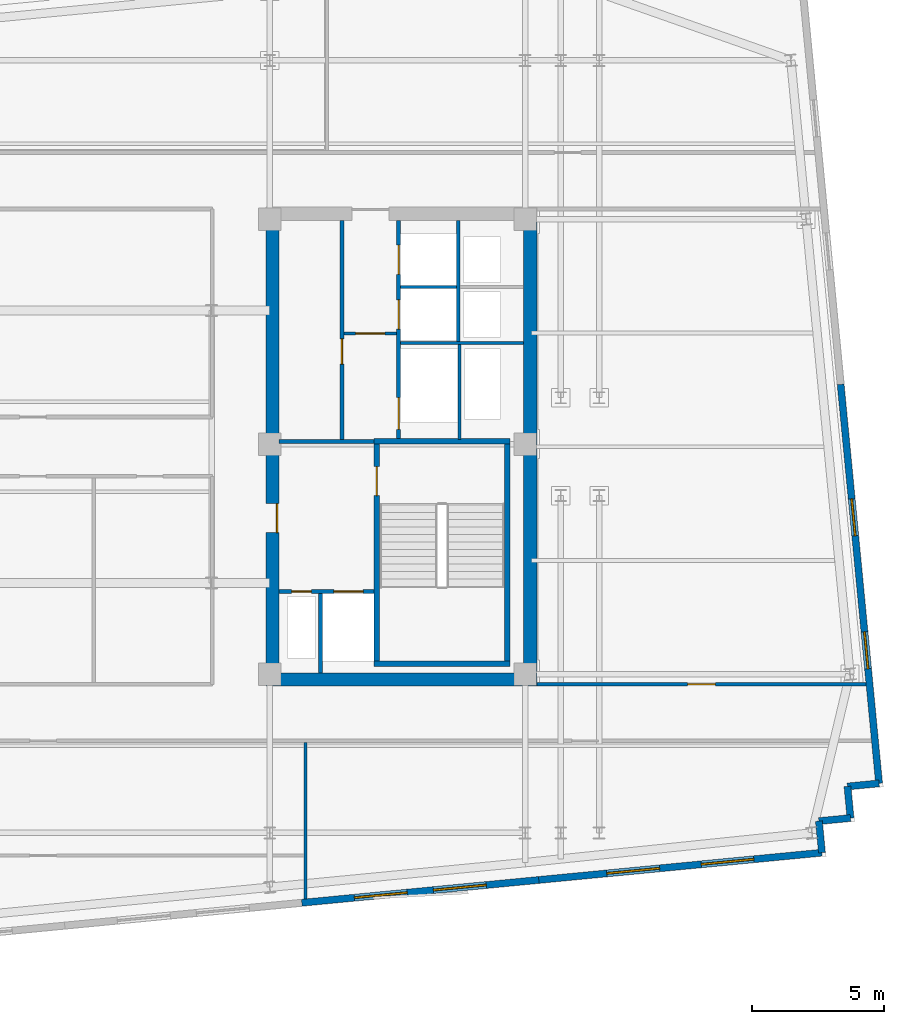
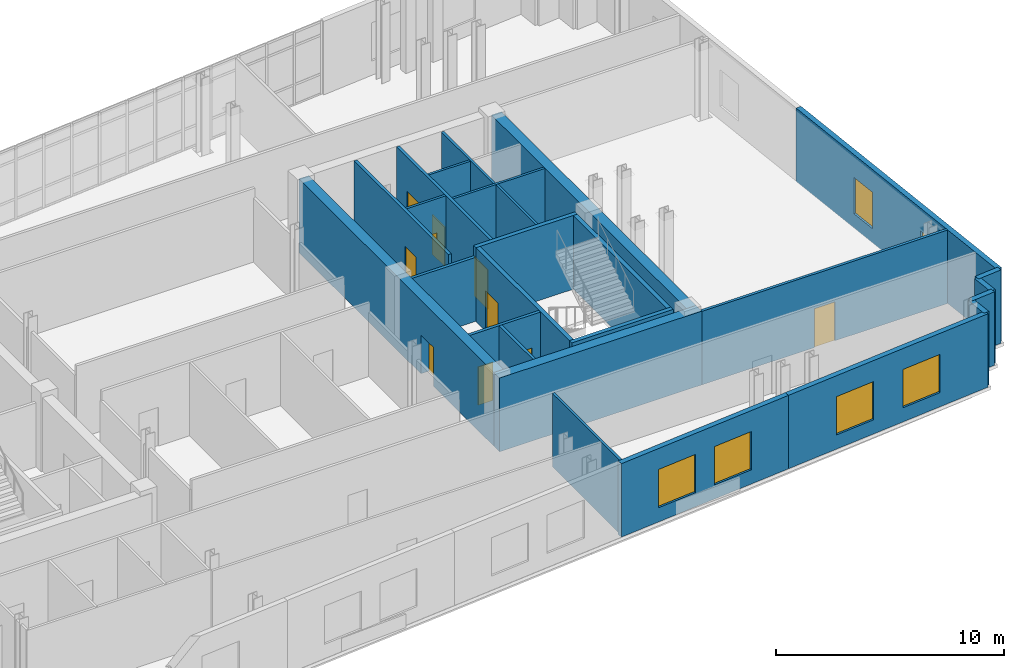
# One storey, part 8 of 11: 26 walls, 10 doors, 6 windows, 16 openings.
"""IFC4 building model written with IfcOpenShell, lengths in metres."""

from ifc_helpers import new_model, si_unit, direction, frame, frame_2d, origin, place, context, subcontext, project, spatial, rectangle, extrude, material, layer, layer_set, type_object, element, fill, save


model = new_model("IFC4")

# Units and contexts
model_context = context("Model", 3, precision=1e-05, world=origin(), true_north=direction((0.0, 1.0)))
body_context = subcontext(model_context, "Body", "Model", "MODEL_VIEW")
ifc_project = project(units=[si_unit("LENGTHUNIT", "METRE"), si_unit("AREAUNIT", "SQUARE_METRE"), si_unit("VOLUMEUNIT", "CUBIC_METRE"), si_unit("PLANEANGLEUNIT", "RADIAN"), si_unit("MASSUNIT", "GRAM", prefix="KILO")], contexts=[model_context])

# Site, building, storey
site_placement = place(None, origin())
site = spatial("IfcSite", under=ifc_project, at=site_placement, CompositionType="ELEMENT")
building_placement = place(site_placement, origin())
building = spatial("IfcBuilding", under=site, at=building_placement, Name="Velakula Bourse", CompositionType="ELEMENT")
storey_placement = place(building_placement, frame((0.0, 0.0, 282.75)))
storey = spatial("IfcBuildingStorey", under=building, at=storey_placement, Name="L77", CompositionType="ELEMENT", Elevation=282.75)

# Wall, opening, door
ifc_material_1 = material(Name="Concrete M50 (fck 50 MPa)", Category="concrete")
ifc_layer_1 = layer(ifc_material_1, 0.2099609375, Name="Concrete M50 (fck 50 MPa)", Category="concrete")
ifc_layer_set_1 = layer_set([ifc_layer_1], Name="Concrete M50 (fck 50 MPa)")
wall_type_1 = type_object("IfcWallType", Name="WL-CORE-210", PredefinedType="SHEAR", material=ifc_layer_set_1)
wall_1_placement = place(storey_placement, frame((12.9951171875, -8.10009765625, 0.0), z_axis=(0.0, 0.0, 1.0), x_axis=(0.0, 1.0, 0.0)))
wall_1 = element("IfcWall", 1, at=wall_1_placement, inside=storey, type_object=wall_type_1, Name="L77 Core E Stairwell Shear Wall IN", PredefinedType="SHEAR", context=body_context, shape_type="SweptSolid", body=[
    extrude(rectangle(XDim=8.2001953125, YDim=0.2099609375, at=frame_2d((4.10009765625, 0.0))), origin(), (0.0, 0.0, 1.0), 3.949951171875),
])
opening_1_placement = place(wall_1_placement, frame((6.25, 0.0, 0.0)))
opening_1 = element("IfcOpeningElement", 2, at=opening_1_placement, cuts=wall_1, Name="Opening D-STE1", PredefinedType="OPENING", context=body_context, shape_type="SweptSolid", body=[
    extrude(rectangle(XDim=1.10009765625, YDim=2.14990234375, at=frame_2d((0.550048828125, 1.074951171875))), frame((0.0, 0.114990234375, 0.0), z_axis=(0.0, -1.0, 0.0), x_axis=(1.0, 0.0, 0.0)), (0.0, 0.0, 1.0), 0.22998046875),
])
ifc_material_2 = material(Name="Galvanised painted hollow steel fire door", Category="steel")
door_type_1 = type_object("IfcDoorType", Name="DR-FD120-1100x2150", OperationType="NOTDEFINED", PredefinedType="DOOR", material=ifc_material_2)
door_1_placement = place(opening_1_placement, origin())
door_1 = element("IfcDoor", 3, at=door_1_placement, inside=storey, type_object=door_type_1, Name="L77 Stair ST-E1 Fire Door", OperationType="SINGLE_SWING_RIGHT", OverallHeight=2.14990234375, OverallWidth=1.10009765625, PredefinedType="DOOR", context=body_context, shape_type="SweptSolid", body=[
    extrude(rectangle(XDim=1.10009765625, YDim=2.14990234375, at=frame_2d((0.550048828125, 1.074951171875))), frame((0.0, 0.02490234375, 0.0), z_axis=(0.0, -1.0, 0.0), x_axis=(1.0, 0.0, 0.0)), (0.0, 0.0, 1.0), 0.050048828125),
])
fill(opening_1, door_1)

# Walls
wall_2_placement = place(storey_placement, frame((17.925048828125, -8.10009765625, 0.0), z_axis=(0.0, 0.0, 1.0), x_axis=(0.0, 1.0, 0.0)))
element("IfcWall", 4, at=wall_2_placement, inside=storey, type_object=wall_type_1, Name="L77 Core E Stairwell Shear Wall OUT", PredefinedType="SHEAR", context=body_context, shape_type="SweptSolid", body=[
    extrude(rectangle(XDim=8.2001953125, YDim=0.2099609375, at=frame_2d((4.10009765625, 0.0))), origin(), (0.0, 0.0, 1.0), 3.949951171875),
])
for number, where, z_axis, x_axis, name in (
    (5, (12.889892578125, -8.205078125, 0.0), (0.0, 0.0, 1.0), (1.0, 0.0, 0.0), "L77 Core E Stairwell Shear Wall S"),
    (6, (18.030029296875, 0.205078125, 0.0), (0.0, 0.0, 1.0), (-1.0, 0.0, 0.0), "L77 Core E Stairwell Shear Wall N"),
):
    element("IfcWall", number, at=place(storey_placement, frame(where, z_axis=z_axis, x_axis=x_axis)), inside=storey, type_object=wall_type_1, Name=name, PredefinedType="SHEAR", context=body_context, shape_type="SweptSolid", body=[
        extrude(rectangle(XDim=5.14013671875, YDim=0.2099609375, at=frame_2d((2.570068359375, 0.0))), origin(), (0.0, 0.0, 1.0), 3.949951171875),
    ])
ifc_layer_2 = layer(ifc_material_1, 0.5, Name="Concrete M50 (fck 50 MPa)", Category="concrete")
ifc_layer_set_2 = layer_set([ifc_layer_2], Name="Concrete M50 (fck 50 MPa)")
wall_type_2 = type_object("IfcWallType", Name="WL-CORE-500", PredefinedType="SHEAR", material=ifc_layer_set_2)
wall_3_placement = place(storey_placement, frame((8.800048828125, -8.800048828125, 0.0), z_axis=(0.0, 0.0, 1.0), x_axis=(1.0, 0.0, 0.0)))
element("IfcWall", 7, at=wall_3_placement, inside=storey, type_object=wall_type_2, Name="L77 Core E Shear Wall S", PredefinedType="SHEAR", context=body_context, shape_type="SweptSolid", body=[
    extrude(rectangle(XDim=10.25, YDim=0.5, at=frame_2d((5.125, 0.0))), origin(), (0.0, 0.0, 1.0), 3.949951171875),
])

# Wall, opening, door
wall_4_placement = place(storey_placement, frame((9.050048828125, -8.550048828125, 0.0), z_axis=(0.0, 0.0, 1.0), x_axis=(0.0, 1.0, 0.0)))
wall_4 = element("IfcWall", 8, at=wall_4_placement, inside=storey, type_object=wall_type_2, Name="L77 Core E Shear Wall W", PredefinedType="SHEAR", context=body_context, shape_type="SweptSolid", body=[
    extrude(rectangle(XDim=17.10009765625, YDim=0.5, at=frame_2d((8.550048828125, 0.0))), origin(), (0.0, 0.0, 1.0), 3.949951171875),
])
opening_2_placement = place(wall_4_placement, frame((5.300048828125, 0.0, 0.0)))
opening_2 = element("IfcOpeningElement", 9, at=opening_2_placement, cuts=wall_4, Name="Opening D-FLE", PredefinedType="OPENING", context=body_context, shape_type="SweptSolid", body=[
    extrude(rectangle(XDim=1.10009765625, YDim=2.080078125, at=frame_2d((0.550048828125, 1.0400390625))), frame((0.0, 0.260009765625, 0.0), z_axis=(0.0, -1.0, 0.0), x_axis=(1.0, 0.0, 0.0)), (0.0, 0.0, 1.0), 0.52001953125),
])
door_type_2 = type_object("IfcDoorType", Name="DR-FD120-1100", OperationType="NOTDEFINED", PredefinedType="DOOR", material=ifc_material_2)
door_2_placement = place(opening_2_placement, origin())
door_2 = element("IfcDoor", 10, at=door_2_placement, inside=storey, type_object=door_type_2, Name="L77 Firefighting Lobby E Corridor Fire Door", OperationType="SINGLE_SWING_RIGHT", OverallHeight=2.080078125, OverallWidth=1.10009765625, PredefinedType="DOOR", context=body_context, shape_type="SweptSolid", body=[
    extrude(rectangle(XDim=1.10009765625, YDim=2.080078125, at=frame_2d((0.550048828125, 1.0400390625))), frame((0.0, -0.15478515625, 0.0), z_axis=(0.0, -1.0, 0.0), x_axis=(1.0, 0.0, 0.0)), (0.0, 0.0, 1.0), 0.050048828125),
])
fill(opening_2, door_2)

# Wall
wall_5_placement = place(storey_placement, frame((18.800048828125, -8.550048828125, 0.0), z_axis=(0.0, 0.0, 1.0), x_axis=(0.0, 1.0, 0.0)))
element("IfcWall", 11, at=wall_5_placement, inside=storey, type_object=wall_type_2, Name="L77 Core E Shear Wall E", PredefinedType="SHEAR", context=body_context, shape_type="SweptSolid", body=[
    extrude(rectangle(XDim=17.10009765625, YDim=0.5, at=frame_2d((8.550048828125, 0.0))), origin(), (0.0, 0.0, 1.0), 3.949951171875),
])

# Wall, openings, windows
ifc_material_3 = material(Name="Buff kilned clay facing brick masonry", Category="masonry")
ifc_layer_3 = layer(ifc_material_3, 0.260009765625, Name="Buff kilned clay facing brick masonry", Category="masonry")
ifc_layer_set_3 = layer_set([ifc_layer_3], Name="Buff kilned clay facing brick masonry")
wall_type_3 = type_object("IfcWallType", Name="WL-EXT-BRK-260", PredefinedType="STANDARD", material=ifc_layer_set_3)
wall_6_placement = place(storey_placement, frame((19.119873046875, -16.375244140625, 0.0), z_axis=(0.0, 0.0, 1.0), x_axis=(-0.995396794462, -0.09583956164, 0.0)))
wall_6 = element("IfcWall", 12, at=wall_6_placement, inside=storey, type_object=wall_type_3, Name="L77 S Brick Spandrel Wall B4", PredefinedType="STANDARD", context=body_context, shape_type="SweptSolid", body=[
    extrude(rectangle(XDim=9.0, YDim=0.260009765625, at=frame_2d((4.5, 0.0))), origin(), (0.0, 0.0, 1.0), 3.929931640625),
])
opening_3_placement = place(wall_6_placement, frame((2.0, 0.0, 0.760009765625)))
opening_3 = element("IfcOpeningElement", 13, at=opening_3_placement, cuts=wall_6, Name="Opening W-05", PredefinedType="OPENING", context=body_context, shape_type="SweptSolid", body=[
    extrude(rectangle(XDim=2.0, YDim=2.050048828125, at=frame_2d((1.0, 1.02490234375))), frame((0.0, 0.139892578125, 0.0), z_axis=(0.0, -1.0, 0.0), x_axis=(1.0, 0.0, 0.0)), (0.0, 0.0, 1.0), 0.280029296875),
])
opening_4_placement = place(wall_6_placement, frame((5.0, 0.0, 0.760009765625)))
opening_4 = element("IfcOpeningElement", 14, at=opening_4_placement, cuts=wall_6, Name="Opening W-05", PredefinedType="OPENING", context=body_context, shape_type="SweptSolid", body=[
    extrude(rectangle(XDim=2.0, YDim=2.050048828125, at=frame_2d((1.0, 1.02490234375))), frame((0.0, 0.139892578125, 0.0), z_axis=(0.0, -1.0, 0.0), x_axis=(1.0, 0.0, 0.0)), (0.0, 0.0, 1.0), 0.280029296875),
])
ifc_material_4 = material(Name="Double-glazed solar-control Low-E glass", Category="glass")
window_type_1 = type_object("IfcWindowType", Name="WIN-TWR-2000x2200", PartitioningType="DOUBLE_PANEL_VERTICAL", PredefinedType="WINDOW", material=ifc_material_4)
window_1_placement = place(opening_3_placement, origin())
window_1 = element("IfcWindow", 15, at=window_1_placement, inside=storey, type_object=window_type_1, Name="L77 Deep-Set Recessed Window 1", OverallHeight=2.050048828125, OverallWidth=2.0, PartitioningType="DOUBLE_PANEL_VERTICAL", PredefinedType="WINDOW", context=body_context, shape_type="SweptSolid", body=[
    extrude(rectangle(XDim=2.0, YDim=2.050048828125, at=frame_2d((1.0, 1.02490234375))), frame((0.0, 0.030029296875, 0.0), z_axis=(0.0, -1.0, 0.0), x_axis=(1.0, 0.0, 0.0)), (0.0, 0.0, 1.0), 0.06005859375),
])
fill(opening_3, window_1)
window_2_placement = place(opening_4_placement, origin())
window_2 = element("IfcWindow", 16, at=window_2_placement, inside=storey, type_object=window_type_1, Name="L77 Deep-Set Recessed Window 2", OverallHeight=2.050048828125, OverallWidth=2.0, PartitioningType="DOUBLE_PANEL_VERTICAL", PredefinedType="WINDOW", context=body_context, shape_type="SweptSolid", body=[
    extrude(rectangle(XDim=2.0, YDim=2.050048828125, at=frame_2d((1.0, 1.02490234375))), frame((0.0, 0.030029296875, 0.0), z_axis=(0.0, -1.0, 0.0), x_axis=(1.0, 0.0, 0.0)), (0.0, 0.0, 1.0), 0.06005859375),
])
fill(opening_4, window_2)

wall_7_placement = place(storey_placement, frame((29.820556640625, -15.344970703125, 0.0), z_axis=(0.0, 0.0, 1.0), x_axis=(-0.995396954468, -0.095837899791, 0.0)))
wall_7 = element("IfcWall", 17, at=wall_7_placement, inside=storey, type_object=wall_type_3, Name="L77 S Brick Spandrel Wall B5", PredefinedType="STANDARD", context=body_context, shape_type="SweptSolid", body=[
    extrude(rectangle(XDim=10.750244140625, YDim=0.260009765625, at=frame_2d((5.375, 0.0))), origin(), (0.0, 0.0, 1.0), 3.929931640625),
])
opening_5_placement = place(wall_7_placement, frame((2.583251953125, 0.0, 0.760009765625)))
opening_5 = element("IfcOpeningElement", 18, at=opening_5_placement, cuts=wall_7, Name="Opening W-05", PredefinedType="OPENING", context=body_context, shape_type="SweptSolid", body=[
    extrude(rectangle(XDim=2.0, YDim=2.050048828125, at=frame_2d((1.0, 1.02490234375))), frame((0.0, 0.139892578125, 0.0), z_axis=(0.0, -1.0, 0.0), x_axis=(1.0, 0.0, 0.0)), (0.0, 0.0, 1.0), 0.280029296875),
])
opening_6_placement = place(wall_7_placement, frame((6.166748046875, 0.0, 0.760009765625)))
opening_6 = element("IfcOpeningElement", 19, at=opening_6_placement, cuts=wall_7, Name="Opening W-05", PredefinedType="OPENING", context=body_context, shape_type="SweptSolid", body=[
    extrude(rectangle(XDim=2.0, YDim=2.050048828125, at=frame_2d((1.0, 1.02490234375))), frame((0.0, 0.139892578125, 0.0), z_axis=(0.0, -1.0, 0.0), x_axis=(1.0, 0.0, 0.0)), (0.0, 0.0, 1.0), 0.280029296875),
])
window_3_placement = place(opening_5_placement, origin())
window_3 = element("IfcWindow", 20, at=window_3_placement, inside=storey, type_object=window_type_1, Name="L77 Deep-Set Recessed Window 1", OverallHeight=2.050048828125, OverallWidth=2.0, PartitioningType="DOUBLE_PANEL_VERTICAL", PredefinedType="WINDOW", context=body_context, shape_type="SweptSolid", body=[
    extrude(rectangle(XDim=2.0, YDim=2.050048828125, at=frame_2d((1.0, 1.02490234375))), frame((0.0, 0.030029296875, 0.0), z_axis=(0.0, -1.0, 0.0), x_axis=(1.0, 0.0, 0.0)), (0.0, 0.0, 1.0), 0.06005859375),
])
fill(opening_5, window_3)
window_4_placement = place(opening_6_placement, origin())
window_4 = element("IfcWindow", 21, at=window_4_placement, inside=storey, type_object=window_type_1, Name="L77 Deep-Set Recessed Window 2", OverallHeight=2.050048828125, OverallWidth=2.0, PartitioningType="DOUBLE_PANEL_VERTICAL", PredefinedType="WINDOW", context=body_context, shape_type="SweptSolid", body=[
    extrude(rectangle(XDim=2.0, YDim=2.050048828125, at=frame_2d((1.0, 1.02490234375))), frame((0.0, 0.030029296875, 0.0), z_axis=(0.0, -1.0, 0.0), x_axis=(1.0, 0.0, 0.0)), (0.0, 0.0, 1.0), 0.06005859375),
])
fill(opening_6, window_4)

wall_8_placement = place(storey_placement, frame((30.52734375, 2.354248046875, 0.0), z_axis=(0.0, 0.0, 1.0), x_axis=(0.095850890337, -0.995395703638, 0.0)))
wall_8 = element("IfcWall", 22, at=wall_8_placement, inside=storey, type_object=wall_type_3, Name="L77 E Brick End Wall W1", PredefinedType="STANDARD", context=body_context, shape_type="SweptSolid", body=[
    extrude(rectangle(XDim=15.150146484375, YDim=0.260009765625, at=frame_2d((7.5751953125, 0.0))), origin(), (0.0, 0.0, 1.0), 3.929931640625),
])
opening_7_placement = place(wall_8_placement, frame((4.35009765625, 0.0, 0.760009765625)))
opening_7 = element("IfcOpeningElement", 23, at=opening_7_placement, cuts=wall_8, Name="Opening W-03", PredefinedType="OPENING", context=body_context, shape_type="SweptSolid", body=[
    extrude(rectangle(XDim=1.39990234375, YDim=1.949951171875, at=frame_2d((0.699951171875, 0.97509765625))), frame((0.0, 0.139892578125, 0.0), z_axis=(0.0, -1.0, 0.0), x_axis=(1.0, 0.0, 0.0)), (0.0, 0.0, 1.0), 0.280029296875),
])
opening_8_placement = place(wall_8_placement, frame((9.39990234375, 0.0, 0.760009765625)))
opening_8 = element("IfcOpeningElement", 24, at=opening_8_placement, cuts=wall_8, Name="Opening W-03", PredefinedType="OPENING", context=body_context, shape_type="SweptSolid", body=[
    extrude(rectangle(XDim=1.39990234375, YDim=1.949951171875, at=frame_2d((0.699951171875, 0.97509765625))), frame((0.0, 0.139892578125, 0.0), z_axis=(0.0, -1.0, 0.0), x_axis=(1.0, 0.0, 0.0)), (0.0, 0.0, 1.0), 0.280029296875),
])
window_type_2 = type_object("IfcWindowType", Name="WIN-TWR-1400x2100", PartitioningType="SINGLE_PANEL", PredefinedType="WINDOW", material=ifc_material_4)
window_5_placement = place(opening_7_placement, origin())
window_5 = element("IfcWindow", 25, at=window_5_placement, inside=storey, type_object=window_type_2, Name="L77 Deep-Set Recessed Window 1", OverallHeight=1.949951171875, OverallWidth=1.39990234375, PartitioningType="SINGLE_PANEL", PredefinedType="WINDOW", context=body_context, shape_type="SweptSolid", body=[
    extrude(rectangle(XDim=1.39990234375, YDim=1.949951171875, at=frame_2d((0.699951171875, 0.97509765625))), frame((0.0, 0.030029296875, 0.0), z_axis=(0.0, -1.0, 0.0), x_axis=(1.0, 0.0, 0.0)), (0.0, 0.0, 1.0), 0.06005859375),
])
fill(opening_7, window_5)
window_6_placement = place(opening_8_placement, origin())
window_6 = element("IfcWindow", 26, at=window_6_placement, inside=storey, type_object=window_type_2, Name="L77 Deep-Set Recessed Window 2", OverallHeight=1.949951171875, OverallWidth=1.39990234375, PartitioningType="SINGLE_PANEL", PredefinedType="WINDOW", context=body_context, shape_type="SweptSolid", body=[
    extrude(rectangle(XDim=1.39990234375, YDim=1.949951171875, at=frame_2d((0.699951171875, 0.97509765625))), frame((0.0, 0.030029296875, 0.0), z_axis=(0.0, -1.0, 0.0), x_axis=(1.0, 0.0, 0.0)), (0.0, 0.0, 1.0), 0.06005859375),
])
fill(opening_8, window_6)

# Walls
for number, where, z_axis, x_axis, name in (
    (27, (29.820556640625, -15.344970703125, 0.0), (0.0, 0.0, 1.0), (-0.096018626938, 0.995379537303, 0.0), "L77 Serrated Corner Brick Wall SE-1"),
    (28, (29.705322265625, -14.150390625, 0.0), (0.0, 0.0, 1.0), (0.995398960025, 0.095817067274, 0.0), "L77 Serrated Corner Brick Wall SE-2"),
):
    element("IfcWall", number, at=place(storey_placement, frame(where, z_axis=z_axis, x_axis=x_axis)), inside=storey, type_object=wall_type_3, Name=name, PredefinedType="STANDARD", context=body_context, shape_type="SweptSolid", body=[
        extrude(rectangle(XDim=1.2001953125, YDim=0.260009765625, at=frame_2d((0.60009765625, 0.0))), origin(), (0.0, 0.0, 1.0), 3.929931640625),
    ])
wall_9_placement = place(storey_placement, frame((30.89990234375, -14.035400390625, 0.0), z_axis=(0.0, 0.0, 1.0), x_axis=(-0.095836473879, 0.995397091755, 0.0)))
element("IfcWall", 29, at=wall_9_placement, inside=storey, type_object=wall_type_3, Name="L77 Serrated Corner Brick Wall SE-3", PredefinedType="STANDARD", context=body_context, shape_type="SweptSolid", body=[
    extrude(rectangle(XDim=1.199951171875, YDim=0.260009765625, at=frame_2d((0.60009765625, 0.0))), origin(), (0.0, 0.0, 1.0), 3.929931640625),
])
wall_10_placement = place(storey_placement, frame((30.784912109375, -12.841064453125, 0.0), z_axis=(0.0, 0.0, 1.0), x_axis=(0.995398960025, 0.095817067274, 0.0)))
element("IfcWall", 30, at=wall_10_placement, inside=storey, type_object=wall_type_3, Name="L77 Serrated Corner Brick Wall SE-4", PredefinedType="STANDARD", context=body_context, shape_type="SweptSolid", body=[
    extrude(rectangle(XDim=1.2001953125, YDim=0.260009765625, at=frame_2d((0.60009765625, 0.0))), origin(), (0.0, 0.0, 1.0), 3.929931640625),
])

# Wall, opening, door
ifc_material_5 = material(Name="Fire-rated double-layer gypsum drywall partition", Category="gypsum")
ifc_layer_4 = layer(ifc_material_5, 0.1201171875, Name="Fire-rated double-layer gypsum drywall partition", Category="gypsum")
ifc_layer_set_4 = layer_set([ifc_layer_4], Name="Fire-rated double-layer gypsum drywall partition")
wall_type_4 = type_object("IfcWallType", Name="WL-PART-120", PredefinedType="STANDARD", material=ifc_layer_set_4)
wall_11_placement = place(storey_placement, frame((11.75, 4.280029296875, 0.0), z_axis=(0.0, 0.0, 1.0), x_axis=(1.0, 0.0, 0.0)))
wall_11 = element("IfcWall", 31, at=wall_11_placement, inside=storey, type_object=wall_type_4, Name="L77 Interior Partition WL-CRE-L77-LL-K2", PredefinedType="STANDARD", context=body_context, shape_type="SweptSolid", body=[
    extrude(rectangle(XDim=2.0, YDim=0.1201171875, at=frame_2d((1.0, 0.0))), origin(), (0.0, 0.0, 1.0), 3.929931640625),
])
opening_9_placement = place(wall_11_placement, frame((0.449951171875, 0.0, 0.0)))
opening_9 = element("IfcOpeningElement", 32, at=opening_9_placement, cuts=wall_11, Name="Opening D-LK2", PredefinedType="OPENING", context=body_context, shape_type="SweptSolid", body=[
    extrude(rectangle(XDim=1.10009765625, YDim=2.10009765625, at=frame_2d((0.550048828125, 1.050048828125))), frame((0.0, 0.070068359375, 0.0), z_axis=(0.0, -1.0, 0.0), x_axis=(1.0, 0.0, 0.0)), (0.0, 0.0, 1.0), 0.14013671875),
])
ifc_material_6 = material(Name="Fire-rated hardwood flush architectural door", Category="wood")
door_type_3 = type_object("IfcDoorType", Name="DR-FD60-1100x2100", OperationType="NOTDEFINED", PredefinedType="DOOR", material=ifc_material_6)
door_3_placement = place(opening_9_placement, origin())
door_3 = element("IfcDoor", 33, at=door_3_placement, inside=storey, type_object=door_type_3, Name="L77 Core E Lift Lobby Zone Door", OperationType="SINGLE_SWING_LEFT", OverallHeight=2.10009765625, OverallWidth=1.10009765625, PredefinedType="DOOR", context=body_context, shape_type="SweptSolid", body=[
    extrude(rectangle(XDim=1.10009765625, YDim=2.10009765625, at=frame_2d((0.550048828125, 1.050048828125))), frame((0.0, 0.02490234375, 0.0), z_axis=(0.0, -1.0, 0.0), x_axis=(1.0, 0.0, 0.0)), (0.0, 0.0, 1.0), 0.050048828125),
])
fill(opening_9, door_3)

# Walls
wall_12_placement = place(storey_placement, frame((13.89990234375, 3.919921875, 0.0), z_axis=(0.0, 0.0, 1.0), x_axis=(1.0, 0.0, 0.0)))
element("IfcWall", 34, at=wall_12_placement, inside=storey, type_object=wall_type_4, Name="L77 Interior Partition WL-CRE-L77-HI-S", PredefinedType="STANDARD", context=body_context, shape_type="SweptSolid", body=[
    extrude(rectangle(XDim=4.650146484375, YDim=0.1201171875, at=frame_2d((2.3251953125, 0.0))), origin(), (0.0, 0.0, 1.0), 3.929931640625),
])
wall_13_placement = place(storey_placement, frame((16.074951171875, 3.97998046875, 0.0), z_axis=(0.0, 0.0, 1.0), x_axis=(0.0, 1.0, 0.0)))
element("IfcWall", 35, at=wall_13_placement, inside=storey, type_object=wall_type_4, Name="L77 Interior Partition WL-CRE-L77-RIS-F", PredefinedType="STANDARD", context=body_context, shape_type="SweptSolid", body=[
    extrude(rectangle(XDim=4.570068359375, YDim=0.1201171875, at=frame_2d((2.28515625, 0.0))), origin(), (0.0, 0.0, 1.0), 3.929931640625),
])
wall_14_placement = place(storey_placement, frame((13.89990234375, 6.030029296875, 0.0), z_axis=(0.0, 0.0, 1.0), x_axis=(1.0, 0.0, 0.0)))
element("IfcWall", 36, at=wall_14_placement, inside=storey, type_object=wall_type_4, Name="L77 Interior Partition WL-CRE-L77-HI-DIV", PredefinedType="STANDARD", context=body_context, shape_type="SweptSolid", body=[
    extrude(rectangle(XDim=2.10009765625, YDim=0.1201171875, at=frame_2d((1.050048828125, 0.0))), origin(), (0.0, 0.0, 1.0), 3.929931640625),
])
wall_15_placement = place(storey_placement, frame((16.125, 0.27001953125, 0.0), z_axis=(0.0, 0.0, 1.0), x_axis=(0.0, 1.0, 0.0)))
element("IfcWall", 37, at=wall_15_placement, inside=storey, type_object=wall_type_4, Name="L77 Interior Partition WL-CRE-L77-SVL-E", PredefinedType="STANDARD", context=body_context, shape_type="SweptSolid", body=[
    extrude(rectangle(XDim=3.590087890625, YDim=0.1201171875, at=frame_2d((1.794921875, 0.0))), origin(), (0.0, 0.0, 1.0), 3.929931640625),
])
wall_16_placement = place(storey_placement, frame((10.298095703125, -17.093994140625, 0.0), z_axis=(0.0, 0.0, 1.0), x_axis=(0.0, 1.0, 0.0)))
element("IfcWall", 38, at=wall_16_placement, inside=storey, type_object=wall_type_4, Name="L77 Interior Partition WL-INT-L77-SR-D5", PredefinedType="STANDARD", context=body_context, shape_type="SweptSolid", body=[
    extrude(rectangle(XDim=5.904052734375, YDim=0.1201171875, at=frame_2d((2.9521484375, 0.0))), origin(), (0.0, 0.0, 1.0), 3.929931640625),
])

# Wall, opening, door
ifc_layer_5 = layer(ifc_material_5, 0.139892578125, Name="Fire-rated double-layer gypsum drywall partition", Category="gypsum")
ifc_layer_set_5 = layer_set([ifc_layer_5], Name="Fire-rated double-layer gypsum drywall partition")
wall_type_5 = type_object("IfcWallType", Name="WL-PART-140", PredefinedType="STANDARD", material=ifc_layer_set_5)
wall_17_placement = place(storey_placement, frame((19.050048828125, -8.97998046875, 0.0), z_axis=(0.0, 0.0, 1.0), x_axis=(1.0, 0.0, 0.0)))
wall_17 = element("IfcWall", 39, at=wall_17_placement, inside=storey, type_object=wall_type_5, Name="L77 Interior Partition WL-INT-L77-E-SC", PredefinedType="STANDARD", context=body_context, shape_type="SweptSolid", body=[
    extrude(rectangle(XDim=12.43798828125, YDim=0.139892578125, at=frame_2d((6.218994140625, 0.0))), origin(), (0.0, 0.0, 1.0), 3.929931640625),
])
opening_10_placement = place(wall_17_placement, frame((5.694091796875, 0.0, 0.0)))
opening_10 = element("IfcOpeningElement", 40, at=opening_10_placement, cuts=wall_17, Name="Opening D-OF2", PredefinedType="OPENING", context=body_context, shape_type="SweptSolid", body=[
    extrude(rectangle(XDim=1.050048828125, YDim=2.080078125, at=frame_2d((0.52490234375, 1.0400390625))), frame((0.0, 0.079833984375, 0.0), z_axis=(0.0, -1.0, 0.0), x_axis=(1.0, 0.0, 0.0)), (0.0, 0.0, 1.0), 0.159912109375),
])
door_type_4 = type_object("IfcDoorType", Name="DR-OFF-1050", OperationType="NOTDEFINED", PredefinedType="DOOR", material=ifc_material_6)
door_4_placement = place(opening_10_placement, origin())
door_4 = element("IfcDoor", 41, at=door_4_placement, inside=storey, type_object=door_type_4, Name="L77 Breakout Dining Lounge Door", OperationType="SINGLE_SWING_RIGHT", OverallHeight=2.080078125, OverallWidth=1.050048828125, PredefinedType="DOOR", context=body_context, shape_type="SweptSolid", body=[
    extrude(rectangle(XDim=1.050048828125, YDim=2.080078125, at=frame_2d((0.52490234375, 1.0400390625))), frame((0.0, 0.02490234375, 0.0), z_axis=(0.0, -1.0, 0.0), x_axis=(1.0, 0.0, 0.0)), (0.0, 0.0, 1.0), 0.050048828125),
])
fill(opening_10, door_4)

# Wall, openings, doors
ifc_material_7 = material(Name="Autoclaved aerated concrete blockwork masonry", Category="masonry")
ifc_layer_6 = layer(ifc_material_7, 0.14990234375, Name="Autoclaved aerated concrete blockwork masonry", Category="masonry")
ifc_layer_set_6 = layer_set([ifc_layer_6], Name="Autoclaved aerated concrete blockwork masonry")
wall_type_6 = type_object("IfcWallType", Name="WL-SHAFT-150", PredefinedType="STANDARD", material=ifc_layer_set_6)
wall_18_placement = place(storey_placement, frame((9.300048828125, -5.47509765625, 0.0), z_axis=(0.0, 0.0, 1.0), x_axis=(1.0, 0.0, 0.0)))
wall_18 = element("IfcWall", 42, at=wall_18_placement, inside=storey, type_object=wall_type_6, Name="L77 Interior Partition WL-CRE-L77-FFL-N", PredefinedType="STANDARD", context=body_context, shape_type="SweptSolid", body=[
    extrude(rectangle(XDim=3.594970703125, YDim=0.14990234375, at=frame_2d((1.79736328125, 0.0))), origin(), (0.0, 0.0, 1.0), 3.929931640625),
])
opening_11_placement = place(wall_18_placement, frame((2.074951171875, 0.0, 0.0)))
opening_11 = element("IfcOpeningElement", 43, at=opening_11_placement, cuts=wall_18, Name="Opening LD-FFL-2", PredefinedType="OPENING", context=body_context, shape_type="SweptSolid", body=[
    extrude(rectangle(XDim=1.10009765625, YDim=2.14990234375, at=frame_2d((0.550048828125, 1.074951171875))), frame((0.0, 0.0849609375, 0.0), z_axis=(0.0, -1.0, 0.0), x_axis=(1.0, 0.0, 0.0)), (0.0, 0.0, 1.0), 0.169921875),
])
opening_12_placement = place(wall_18_placement, frame((0.47509765625, 0.0, 0.0)))
opening_12 = element("IfcOpeningElement", 44, at=opening_12_placement, cuts=wall_18, Name="Opening D-RS1", PredefinedType="OPENING", context=body_context, shape_type="SweptSolid", body=[
    extrude(rectangle(XDim=0.75, YDim=2.050048828125, at=frame_2d((0.375, 1.02490234375))), frame((0.0, 0.0849609375, 0.0), z_axis=(0.0, -1.0, 0.0), x_axis=(1.0, 0.0, 0.0)), (0.0, 0.0, 1.0), 0.169921875),
])
door_type_5 = type_object("IfcDoorType", Name="DR-RISER-800", OperationType="NOTDEFINED", PredefinedType="DOOR", material=ifc_material_2)
door_5_placement = place(opening_12_placement, origin())
door_5 = element("IfcDoor", 45, at=door_5_placement, inside=storey, type_object=door_type_5, Name="L77 Fire Riser Access Door", OperationType="SINGLE_SWING_LEFT", OverallHeight=2.050048828125, OverallWidth=0.75, PredefinedType="DOOR", context=body_context, shape_type="SweptSolid", body=[
    extrude(rectangle(XDim=0.75, YDim=2.050048828125, at=frame_2d((0.375, 1.02490234375))), frame((0.0, 0.02490234375, 0.0), z_axis=(0.0, -1.0, 0.0), x_axis=(1.0, 0.0, 0.0)), (0.0, 0.0, 1.0), 0.050048828125),
])
fill(opening_12, door_5)
ifc_material_8 = material(Name="Brushed grade 316 stainless steel", Category="steel")
door_type_6 = type_object("IfcDoorType", Name="DR-SLIDE-FFL-1100", OperationType="DOUBLE_DOOR_SLIDING", PredefinedType="DOOR", material=ifc_material_8)
door_6_placement = place(opening_11_placement, origin())
door_6 = element("IfcDoor", 46, at=door_6_placement, inside=storey, type_object=door_type_6, Name="L77 Firefighting Lift FFL-2 Sliding Landing Door", OperationType="DOUBLE_DOOR_SLIDING", OverallHeight=2.14990234375, OverallWidth=1.10009765625, PredefinedType="DOOR", context=body_context, shape_type="SweptSolid", body=[
    extrude(rectangle(XDim=1.10009765625, YDim=2.14990234375, at=frame_2d((0.550048828125, 1.074951171875))), frame((0.0, 0.02490234375, 0.0), z_axis=(0.0, -1.0, 0.0), x_axis=(1.0, 0.0, 0.0)), (0.0, 0.0, 1.0), 0.050048828125),
])
fill(opening_11, door_6)

# Walls
wall_19_placement = place(storey_placement, frame((10.875, -8.550048828125, 0.0), z_axis=(0.0, 0.0, 1.0), x_axis=(0.0, 1.0, 0.0)))
element("IfcWall", 47, at=wall_19_placement, inside=storey, type_object=wall_type_6, Name="L77 Interior Partition WL-CRE-L77-FR-DIV", PredefinedType="STANDARD", context=body_context, shape_type="SweptSolid", body=[
    extrude(rectangle(XDim=3.0, YDim=0.14990234375, at=frame_2d((1.5, 0.0))), origin(), (0.0, 0.0, 1.0), 3.929931640625),
])
wall_20_placement = place(storey_placement, frame((9.300048828125, 0.18994140625, 0.0), z_axis=(0.0, 0.0, 1.0), x_axis=(1.0, 0.0, 0.0)))
element("IfcWall", 48, at=wall_20_placement, inside=storey, type_object=wall_type_6, Name="L77 Interior Partition WL-CRE-L77-FF-TOP", PredefinedType="STANDARD", context=body_context, shape_type="SweptSolid", body=[
    extrude(rectangle(XDim=3.58984375, YDim=0.14990234375, at=frame_2d((1.794921875, 0.0))), origin(), (0.0, 0.0, 1.0), 3.425048828125),
])

# Wall, opening, door
wall_21_placement = place(storey_placement, frame((11.675048828125, 0.27001953125, 0.0), z_axis=(0.0, 0.0, 1.0), x_axis=(0.0, 1.0, 0.0)))
wall_21 = element("IfcWall", 49, at=wall_21_placement, inside=storey, type_object=wall_type_6, Name="L77 Interior Partition WL-CRE-L77-BANK-F", PredefinedType="STANDARD", context=body_context, shape_type="SweptSolid", body=[
    extrude(rectangle(XDim=8.280029296875, YDim=0.14990234375, at=frame_2d((4.14013671875, 0.0))), origin(), (0.0, 0.0, 1.0), 3.929931640625),
])
opening_13_placement = place(wall_21_placement, frame((2.85009765625, 0.0, 0.0)))
opening_13 = element("IfcOpeningElement", 50, at=opening_13_placement, cuts=wall_21, Name="Opening D-RC5", PredefinedType="OPENING", context=body_context, shape_type="SweptSolid", body=[
    extrude(rectangle(XDim=0.949951171875, YDim=2.050048828125, at=frame_2d((0.47509765625, 1.02490234375))), frame((0.0, 0.0849609375, 0.0), z_axis=(0.0, -1.0, 0.0), x_axis=(1.0, 0.0, 0.0)), (0.0, 0.0, 1.0), 0.169921875),
])
door_type_7 = type_object("IfcDoorType", Name="DR-FD60-950x2050", OperationType="NOTDEFINED", PredefinedType="DOOR", material=ifc_material_6)
door_7_placement = place(opening_13_placement, origin())
door_7 = element("IfcDoor", 51, at=door_7_placement, inside=storey, type_object=door_type_7, Name="L77 Reclaimed Multi-Bay Depository Room Door", OperationType="SINGLE_SWING_LEFT", OverallHeight=2.050048828125, OverallWidth=0.949951171875, PredefinedType="DOOR", context=body_context, shape_type="SweptSolid", body=[
    extrude(rectangle(XDim=0.949951171875, YDim=2.050048828125, at=frame_2d((0.47509765625, 1.02490234375))), frame((0.0, 0.02490234375, 0.0), z_axis=(0.0, -1.0, 0.0), x_axis=(1.0, 0.0, 0.0)), (0.0, 0.0, 1.0), 0.050048828125),
])
fill(opening_13, door_7)

# Wall, openings, doors
wall_22_placement = place(storey_placement, frame((13.824951171875, 0.27001953125, 0.0), z_axis=(0.0, 0.0, 1.0), x_axis=(0.0, 1.0, 0.0)))
wall_22 = element("IfcWall", 52, at=wall_22_placement, inside=storey, type_object=wall_type_6, Name="L77 Interior Partition WL-CRE-L77-OUT-F", PredefinedType="STANDARD", context=body_context, shape_type="SweptSolid", body=[
    extrude(rectangle(XDim=8.280029296875, YDim=0.14990234375, at=frame_2d((4.14013671875, 0.0))), origin(), (0.0, 0.0, 1.0), 3.929931640625),
])
opening_14_placement = place(wall_22_placement, frame((4.175048828125, 0.0, 0.0)))
opening_14 = element("IfcOpeningElement", 53, at=opening_14_placement, cuts=wall_22, Name="Opening LD-P11", PredefinedType="OPENING", context=body_context, shape_type="SweptSolid", body=[
    extrude(rectangle(XDim=1.10009765625, YDim=2.10009765625, at=frame_2d((0.550048828125, 1.050048828125))), frame((0.0, 0.0849609375, 0.0), z_axis=(0.0, -1.0, 0.0), x_axis=(1.0, 0.0, 0.0)), (0.0, 0.0, 1.0), 0.169921875),
])
opening_15_placement = place(wall_22_placement, frame((6.2451171875, 0.0, 0.0)))
opening_15 = element("IfcOpeningElement", 54, at=opening_15_placement, cuts=wall_22, Name="Opening LD-P12", PredefinedType="OPENING", context=body_context, shape_type="SweptSolid", body=[
    extrude(rectangle(XDim=1.10009765625, YDim=2.10009765625, at=frame_2d((0.550048828125, 1.050048828125))), frame((0.0, 0.0849609375, 0.0), z_axis=(0.0, -1.0, 0.0), x_axis=(1.0, 0.0, 0.0)), (0.0, 0.0, 1.0), 0.169921875),
])
opening_16_placement = place(wall_22_placement, frame((0.3798828125, 0.0, 0.0)))
opening_16 = element("IfcOpeningElement", 55, at=opening_16_placement, cuts=wall_22, Name="Opening LD-SVL1", PredefinedType="OPENING", context=body_context, shape_type="SweptSolid", body=[
    extrude(rectangle(XDim=1.199951171875, YDim=2.10009765625, at=frame_2d((0.60009765625, 1.050048828125))), frame((0.0, 0.0849609375, 0.0), z_axis=(0.0, -1.0, 0.0), x_axis=(1.0, 0.0, 0.0)), (0.0, 0.0, 1.0), 0.169921875),
])
door_type_8 = type_object("IfcDoorType", Name="DR-SLIDE-LD-1100", OperationType="DOUBLE_DOOR_SLIDING", PredefinedType="DOOR", material=ifc_material_8)
door_8_placement = place(opening_14_placement, origin())
door_8 = element("IfcDoor", 56, at=door_8_placement, inside=storey, type_object=door_type_8, Name="L77 Passenger Lift P11 Sliding Landing Door", OperationType="DOUBLE_DOOR_SLIDING", OverallHeight=2.10009765625, OverallWidth=1.10009765625, PredefinedType="DOOR", context=body_context, shape_type="SweptSolid", body=[
    extrude(rectangle(XDim=1.10009765625, YDim=2.10009765625, at=frame_2d((0.550048828125, 1.050048828125))), frame((0.0, 0.02490234375, 0.0), z_axis=(0.0, -1.0, 0.0), x_axis=(1.0, 0.0, 0.0)), (0.0, 0.0, 1.0), 0.050048828125),
])
fill(opening_14, door_8)
door_9_placement = place(opening_15_placement, origin())
door_9 = element("IfcDoor", 57, at=door_9_placement, inside=storey, type_object=door_type_8, Name="L77 Passenger Lift P12 Sliding Landing Door", OperationType="DOUBLE_DOOR_SLIDING", OverallHeight=2.10009765625, OverallWidth=1.10009765625, PredefinedType="DOOR", context=body_context, shape_type="SweptSolid", body=[
    extrude(rectangle(XDim=1.10009765625, YDim=2.10009765625, at=frame_2d((0.550048828125, 1.050048828125))), frame((0.0, 0.02490234375, 0.0), z_axis=(0.0, -1.0, 0.0), x_axis=(1.0, 0.0, 0.0)), (0.0, 0.0, 1.0), 0.050048828125),
])
fill(opening_15, door_9)
door_type_9 = type_object("IfcDoorType", Name="DR-SLIDE-LD-1200", OperationType="DOUBLE_DOOR_SLIDING", PredefinedType="DOOR", material=ifc_material_8)
door_10_placement = place(opening_16_placement, origin())
door_10 = element("IfcDoor", 58, at=door_10_placement, inside=storey, type_object=door_type_9, Name="L77 Service Lift SVL-1 Sliding Landing Door", OperationType="DOUBLE_DOOR_SLIDING", OverallHeight=2.10009765625, OverallWidth=1.199951171875, PredefinedType="DOOR", context=body_context, shape_type="SweptSolid", body=[
    extrude(rectangle(XDim=1.199951171875, YDim=2.10009765625, at=frame_2d((0.60009765625, 1.050048828125))), frame((0.0, 0.02490234375, 0.0), z_axis=(0.0, -1.0, 0.0), x_axis=(1.0, 0.0, 0.0)), (0.0, 0.0, 1.0), 0.050048828125),
])
fill(opening_16, door_10)

save(model, "model.ifc")
